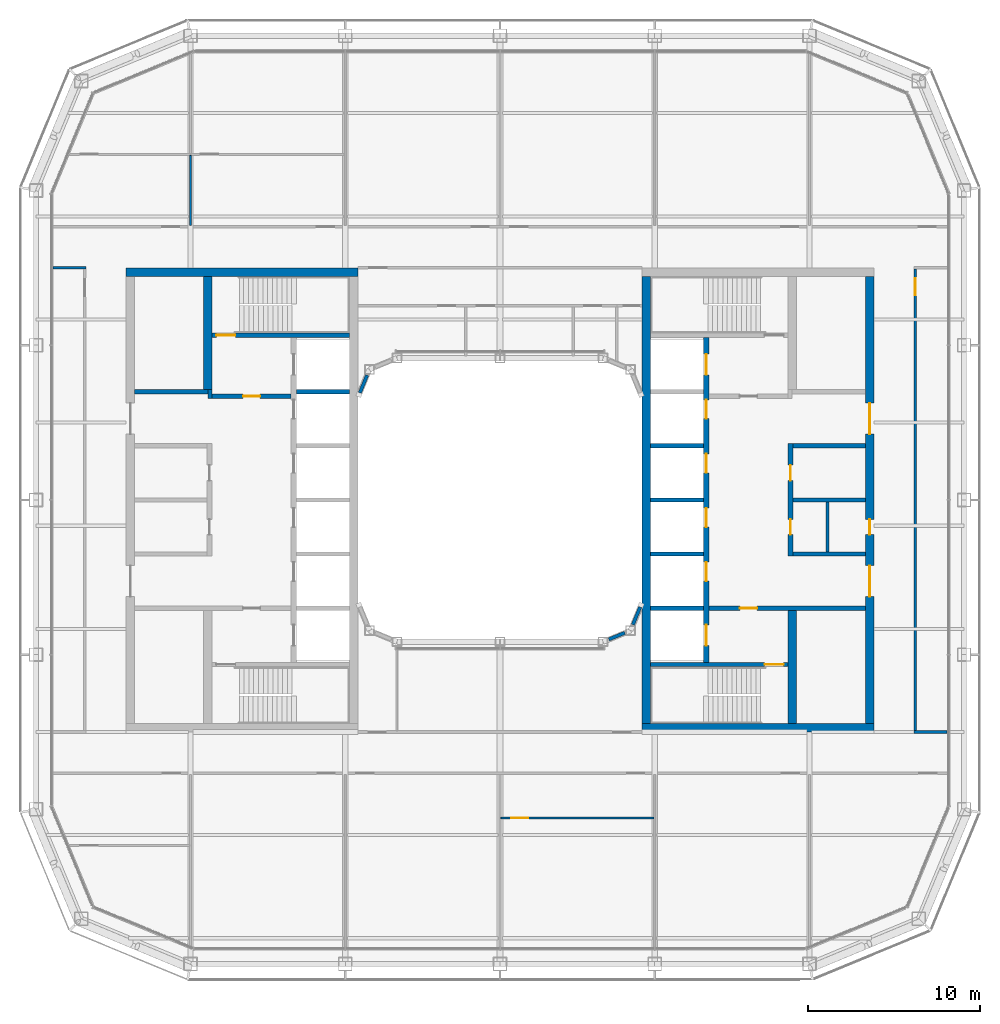
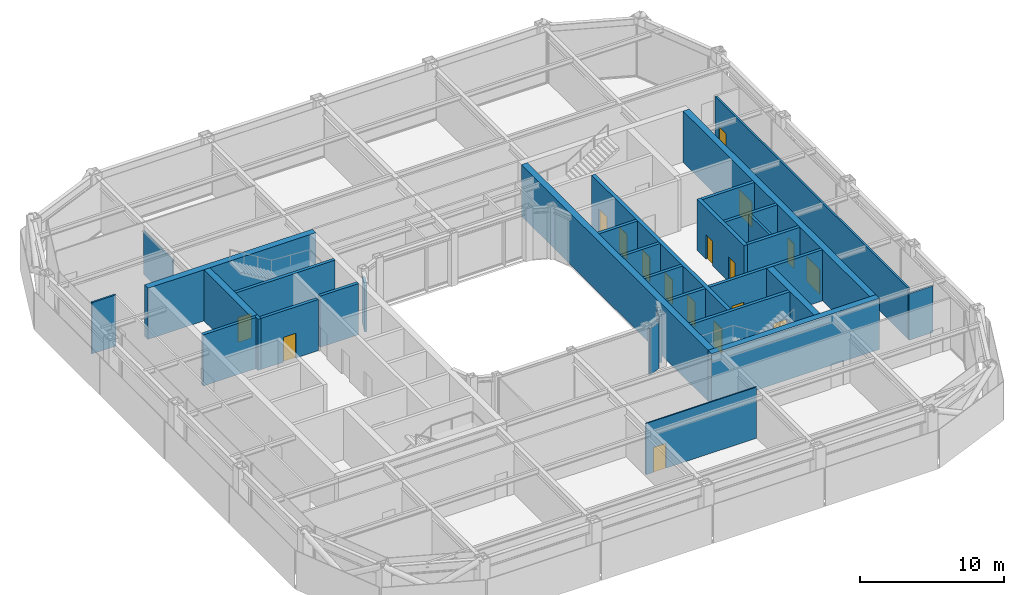
# One storey, part 13 of 19: 31 walls, 17 doors, 17 openings.
"""IFC4 building model written with IfcOpenShell, lengths in metres."""

from ifc_helpers import new_model, si_unit, direction, frame, frame_2d, origin, place, context, subcontext, project, spatial, rectangle, extrude, material, layer, layer_set, type_object, element, fill, save


model = new_model("IFC4")

# Units and contexts
model_context = context("Model", 3, precision=1e-05, world=origin(), true_north=direction((0.0, 1.0)))
body_context = subcontext(model_context, "Body", "Model", "MODEL_VIEW")
ifc_project = project(units=[si_unit("LENGTHUNIT", "METRE"), si_unit("AREAUNIT", "SQUARE_METRE"), si_unit("VOLUMEUNIT", "CUBIC_METRE"), si_unit("PLANEANGLEUNIT", "RADIAN"), si_unit("MASSUNIT", "GRAM", prefix="KILO")], contexts=[model_context])

# Site, building, storey
site_placement = place(None, origin())
site = spatial("IfcSite", under=ifc_project, at=site_placement, CompositionType="ELEMENT")
building_placement = place(site_placement, origin())
building = spatial("IfcBuilding", under=site, at=building_placement, Name="Siwar Civic Tower", CompositionType="ELEMENT")
storey_placement = place(building_placement, frame((0.0, 0.0, 246.699951171875)))
storey = spatial("IfcBuildingStorey", under=building, at=storey_placement, Name="L53", CompositionType="ELEMENT", Elevation=246.699951171875)

# Wall
ifc_material_1 = material(Name="Gypsum board on steel studs", Category="steel")
ifc_layer_1 = layer(ifc_material_1, 0.199951171875)
ifc_layer_set_1 = layer_set([ifc_layer_1], Name="Gypsum board on steel studs")
wall_type_1 = type_object("IfcWallType", Name="CORE-PARTITION-200", PredefinedType="PARTITIONING", material=ifc_layer_set_1)
wall_1_placement = place(storey_placement, frame((19.050048828125, -3.02490234375, 0.0), z_axis=(0.0, 0.0, 1.0), x_axis=(0.0, 1.0, 0.0)))
element("IfcWall", 1, at=wall_1_placement, inside=storey, type_object=wall_type_1, Name="Core partition E", PredefinedType="PARTITIONING", context=body_context, shape_type="SweptSolid", body=[
    extrude(rectangle(XDim=2.89990234375, YDim=0.199951171875, at=frame_2d((1.449951171875, 0.0))), origin(), (0.0, 0.0, 1.0), 4.35009765625),
])

# Wall, opening, door
ifc_material_2 = material(Name="Concrete C60/75", Category="concrete")
ifc_layer_2 = layer(ifc_material_2, 0.25)
ifc_layer_set_2 = layer_set([ifc_layer_2], Name="Concrete C60/75")
wall_type_2 = type_object("IfcWallType", Name="CORE-WALL-RC250", PredefinedType="SHEAR", material=ifc_layer_set_2)
wall_2_placement = place(storey_placement, frame((-12.14990234375, 6.02490234375, 0.0), z_axis=(0.0, 0.0, 1.0), x_axis=(-1.0, 0.0, 0.0)))
wall_2 = element("IfcWall", 2, at=wall_2_placement, inside=storey, type_object=wall_type_2, Name="Core wall W", PredefinedType="SHEAR", context=body_context, shape_type="SweptSolid", body=[
    extrude(rectangle(XDim=4.60009765625, YDim=0.25, at=frame_2d((2.300048828125, 0.0))), origin(), (0.0, 0.0, 1.0), 4.35009765625),
])
opening_1_placement = place(wall_2_placement, frame((1.800048828125, 0.0, 0.0)))
opening_1 = element("IfcOpeningElement", 3, at=opening_1_placement, cuts=wall_2, Name="Opening L53-CW01", PredefinedType="OPENING", context=body_context, shape_type="SweptSolid", body=[
    extrude(rectangle(XDim=1.0, YDim=2.10009765625, at=frame_2d((0.5, 1.050048828125))), frame((0.0, 0.135009765625, 0.0), z_axis=(0.0, -1.0, 0.0), x_axis=(1.0, 0.0, 0.0)), (0.0, 0.0, 1.0), 0.27001953125),
])
ifc_material_3 = material(Name="Steel door leaf", Category="steel")
door_type_1 = type_object("IfcDoorType", Name="CORE-DOOR-FD30S", OperationType="SINGLE_SWING_LEFT", PredefinedType="DOOR", material=ifc_material_3)
door_1_placement = place(opening_1_placement, origin())
door_1 = element("IfcDoor", 4, at=door_1_placement, inside=storey, type_object=door_type_1, Name="Firefighting lobby door L53-CW01", OperationType="SINGLE_SWING_LEFT", OverallHeight=2.10009765625, OverallWidth=1.0, PredefinedType="DOOR", context=body_context, shape_type="SweptSolid", body=[
    extrude(rectangle(XDim=1.0, YDim=2.10009765625, at=frame_2d((0.5, 1.050048828125))), frame((0.0, 0.02490234375, 0.0), z_axis=(0.0, -1.0, 0.0), x_axis=(1.0, 0.0, 0.0)), (0.0, 0.0, 1.0), 0.050048828125),
])
fill(opening_1, door_1)

# Walls
wall_3_placement = place(storey_placement, frame((-16.875, 5.89990234375, 0.0), z_axis=(0.0, 0.0, 1.0), x_axis=(0.0, 1.0, 0.0)))
element("IfcWall", 5, at=wall_3_placement, inside=storey, type_object=wall_type_2, Name="Core wall W", PredefinedType="SHEAR", context=body_context, shape_type="SweptSolid", body=[
    extrude(rectangle(XDim=0.525146484375, YDim=0.25, at=frame_2d((0.2626953125, 0.0))), origin(), (0.0, 0.0, 1.0), 4.35009765625),
])
wall_4_placement = place(storey_placement, frame((-17.0, 6.300048828125, 0.0), z_axis=(0.0, 0.0, 1.0), x_axis=(-1.0, 0.0, 0.0)))
element("IfcWall", 6, at=wall_4_placement, inside=storey, type_object=wall_type_2, Name="Core wall W", PredefinedType="SHEAR", context=body_context, shape_type="SweptSolid", body=[
    extrude(rectangle(XDim=4.25, YDim=0.25, at=frame_2d((2.125, 0.0))), origin(), (0.0, 0.0, 1.0), 4.35009765625),
])
wall_5_placement = place(storey_placement, frame((-8.75, 6.300048828125, 0.0), z_axis=(0.0, 0.0, 1.0), x_axis=(-1.0, 0.0, 0.0)))
element("IfcWall", 7, at=wall_5_placement, inside=storey, type_object=wall_type_2, Name="Core wall W", PredefinedType="SHEAR", context=body_context, shape_type="SweptSolid", body=[
    extrude(rectangle(XDim=3.10009765625, YDim=0.25, at=frame_2d((1.550048828125, 0.0))), origin(), (0.0, 0.0, 1.0), 4.35009765625),
])

# Wall, opening, door
wall_6_placement = place(storey_placement, frame((-8.75, 9.574951171875, 0.0), z_axis=(0.0, 0.0, 1.0), x_axis=(-1.0, 0.0, 0.0)))
wall_6 = element("IfcWall", 8, at=wall_6_placement, inside=storey, type_object=wall_type_2, Name="Core wall W", PredefinedType="SHEAR", context=body_context, shape_type="SweptSolid", body=[
    extrude(rectangle(XDim=8.0, YDim=0.25, at=frame_2d((4.0, 0.0))), origin(), (0.0, 0.0, 1.0), 4.35009765625),
])
opening_2_placement = place(wall_6_placement, frame((6.64990234375, 0.0, 0.0)))
opening_2 = element("IfcOpeningElement", 9, at=opening_2_placement, cuts=wall_6, Name="Opening L53-CW03", PredefinedType="OPENING", context=body_context, shape_type="SweptSolid", body=[
    extrude(rectangle(XDim=1.10009765625, YDim=2.10009765625, at=frame_2d((0.550048828125, 1.050048828125))), frame((0.0, 0.135009765625, 0.0), z_axis=(0.0, -1.0, 0.0), x_axis=(1.0, 0.0, 0.0)), (0.0, 0.0, 1.0), 0.27001953125),
])
ifc_material_4 = material(Name="Steel door leaf", Category="steel")
door_type_2 = type_object("IfcDoorType", Name="CORE-DOOR-FD60S", OperationType="SINGLE_SWING_LEFT", PredefinedType="DOOR", material=ifc_material_4)
door_2_placement = place(opening_2_placement, origin())
door_2 = element("IfcDoor", 10, at=door_2_placement, inside=storey, type_object=door_type_2, Name="Stair door L53-CW03", OperationType="SINGLE_SWING_RIGHT", OverallHeight=2.10009765625, OverallWidth=1.10009765625, PredefinedType="DOOR", context=body_context, shape_type="SweptSolid", body=[
    extrude(rectangle(XDim=1.10009765625, YDim=2.10009765625, at=frame_2d((0.550048828125, 1.050048828125))), frame((0.0, 0.02490234375, 0.0), z_axis=(0.0, -1.0, 0.0), x_axis=(1.0, 0.0, 0.0)), (0.0, 0.0, 1.0), 0.050048828125),
])
fill(opening_2, door_2)

wall_7_placement = place(storey_placement, frame((12.14990234375, -6.300048828125, 0.0), z_axis=(0.0, 0.0, 1.0), x_axis=(1.0, 0.0, 0.0)))
wall_7 = element("IfcWall", 11, at=wall_7_placement, inside=storey, type_object=wall_type_2, Name="Core wall E", PredefinedType="SHEAR", context=body_context, shape_type="SweptSolid", body=[
    extrude(rectangle(XDim=9.10009765625, YDim=0.25, at=frame_2d((4.550048828125, 0.0))), origin(), (0.0, 0.0, 1.0), 4.35009765625),
])
opening_3_placement = place(wall_7_placement, frame((1.800048828125, 0.0, 0.0)))
opening_3 = element("IfcOpeningElement", 12, at=opening_3_placement, cuts=wall_7, Name="Opening L53-CE02", PredefinedType="OPENING", context=body_context, shape_type="SweptSolid", body=[
    extrude(rectangle(XDim=1.0, YDim=2.10009765625, at=frame_2d((0.5, 1.050048828125))), frame((0.0, 0.135009765625, 0.0), z_axis=(0.0, -1.0, 0.0), x_axis=(1.0, 0.0, 0.0)), (0.0, 0.0, 1.0), 0.27001953125),
])
door_3_placement = place(opening_3_placement, origin())
door_3 = element("IfcDoor", 13, at=door_3_placement, inside=storey, type_object=door_type_1, Name="Service lobby door L53-CE02", OperationType="SINGLE_SWING_LEFT", OverallHeight=2.10009765625, OverallWidth=1.0, PredefinedType="DOOR", context=body_context, shape_type="SweptSolid", body=[
    extrude(rectangle(XDim=1.0, YDim=2.10009765625, at=frame_2d((0.5, 1.050048828125))), frame((0.0, 0.02490234375, 0.0), z_axis=(0.0, -1.0, 0.0), x_axis=(1.0, 0.0, 0.0)), (0.0, 0.0, 1.0), 0.050048828125),
])
fill(opening_3, door_3)

# Walls
for number, where, z_axis, x_axis, name in (
    (14, (17.050048828125, 0.0, 0.0), (0.0, 0.0, 1.0), (1.0, 0.0, 0.0), "Core wall E"),
    (15, (17.050048828125, 3.14990234375, 0.0), (0.0, 0.0, 1.0), (1.0, 0.0, 0.0), "Core wall E"),
    (16, (17.050048828125, -3.14990234375, 0.0), (0.0, 0.0, 1.0), (1.0, 0.0, 0.0), "Core wall E"),
):
    element("IfcWall", number, at=place(storey_placement, frame(where, z_axis=z_axis, x_axis=x_axis)), inside=storey, type_object=wall_type_2, Name=name, PredefinedType="SHEAR", context=body_context, shape_type="SweptSolid", body=[
        extrude(rectangle(XDim=4.199951171875, YDim=0.25, at=frame_2d((2.10009765625, 0.0))), origin(), (0.0, 0.0, 1.0), 4.35009765625),
    ])
for number, where, z_axis, x_axis, name in (
    (17, (8.75, 0.0, 0.0), (0.0, 0.0, 1.0), (1.0, 0.0, 0.0), "Core wall E"),
    (18, (8.75, 3.14990234375, 0.0), (0.0, 0.0, 1.0), (1.0, 0.0, 0.0), "Core wall E"),
    (19, (8.75, -3.14990234375, 0.0), (0.0, 0.0, 1.0), (1.0, 0.0, 0.0), "Core wall E"),
    (20, (8.75, -6.300048828125, 0.0), (0.0, 0.0, 1.0), (1.0, 0.0, 0.0), "Core wall E"),
):
    element("IfcWall", number, at=place(storey_placement, frame(where, z_axis=z_axis, x_axis=x_axis)), inside=storey, type_object=wall_type_2, Name=name, PredefinedType="SHEAR", context=body_context, shape_type="SweptSolid", body=[
        extrude(rectangle(XDim=3.10009765625, YDim=0.25, at=frame_2d((1.550048828125, 0.0))), origin(), (0.0, 0.0, 1.0), 4.35009765625),
    ])

# Wall, opening, door
wall_8_placement = place(storey_placement, frame((8.75, -9.574951171875, 0.0), z_axis=(0.0, 0.0, 1.0), x_axis=(1.0, 0.0, 0.0)))
wall_8 = element("IfcWall", 21, at=wall_8_placement, inside=storey, type_object=wall_type_2, Name="Core wall E", PredefinedType="SHEAR", context=body_context, shape_type="SweptSolid", body=[
    extrude(rectangle(XDim=8.0, YDim=0.25, at=frame_2d((4.0, 0.0))), origin(), (0.0, 0.0, 1.0), 4.35009765625),
])
opening_4_placement = place(wall_8_placement, frame((6.64990234375, 0.0, 0.0)))
opening_4 = element("IfcOpeningElement", 22, at=opening_4_placement, cuts=wall_8, Name="Opening L53-CE04", PredefinedType="OPENING", context=body_context, shape_type="SweptSolid", body=[
    extrude(rectangle(XDim=1.10009765625, YDim=2.10009765625, at=frame_2d((0.550048828125, 1.050048828125))), frame((0.0, 0.135009765625, 0.0), z_axis=(0.0, -1.0, 0.0), x_axis=(1.0, 0.0, 0.0)), (0.0, 0.0, 1.0), 0.27001953125),
])
door_4_placement = place(opening_4_placement, origin())
door_4 = element("IfcDoor", 23, at=door_4_placement, inside=storey, type_object=door_type_2, Name="Stair door L53-CE04", OperationType="SINGLE_SWING_RIGHT", OverallHeight=2.10009765625, OverallWidth=1.10009765625, PredefinedType="DOOR", context=body_context, shape_type="SweptSolid", body=[
    extrude(rectangle(XDim=1.10009765625, YDim=2.10009765625, at=frame_2d((0.550048828125, 1.050048828125))), frame((0.0, 0.02490234375, 0.0), z_axis=(0.0, -1.0, 0.0), x_axis=(1.0, 0.0, 0.0)), (0.0, 0.0, 1.0), 0.050048828125),
])
fill(opening_4, door_4)

# Wall, openings, doors
ifc_material_5 = material(Name="Concrete C60/75", Category="concrete")
ifc_layer_3 = layer(ifc_material_5, 0.300048828125)
ifc_layer_set_3 = layer_set([ifc_layer_3], Name="Concrete C60/75")
wall_type_3 = type_object("IfcWallType", Name="CORE-WALL-RC300", PredefinedType="SHEAR", material=ifc_layer_set_3)
wall_9_placement = place(storey_placement, frame((12.0, -9.449951171875, 0.0), z_axis=(0.0, 0.0, 1.0), x_axis=(0.0, 1.0, 0.0)))
wall_9 = element("IfcWall", 24, at=wall_9_placement, inside=storey, type_object=wall_type_3, Name="Core wall E", PredefinedType="SHEAR", context=body_context, shape_type="SweptSolid", body=[
    extrude(rectangle(XDim=18.89990234375, YDim=0.300048828125, at=frame_2d((9.449951171875, 0.0))), origin(), (0.0, 0.0, 1.0), 4.35009765625),
])
opening_5_placement = place(wall_9_placement, frame((4.72509765625, 0.0, 0.0)))
opening_5 = element("IfcOpeningElement", 25, at=opening_5_placement, cuts=wall_9, Name="Opening L53-CE07", PredefinedType="OPENING", context=body_context, shape_type="SweptSolid", body=[
    extrude(rectangle(XDim=1.10009765625, YDim=2.10009765625, at=frame_2d((0.550048828125, 1.050048828125))), frame((0.0, 0.16015625, 0.0), z_axis=(0.0, -1.0, 0.0), x_axis=(1.0, 0.0, 0.0)), (0.0, 0.0, 1.0), 0.320068359375),
])
opening_6_placement = place(wall_9_placement, frame((7.875, 0.0, 0.0)))
opening_6 = element("IfcOpeningElement", 26, at=opening_6_placement, cuts=wall_9, Name="Opening L53-CE08", PredefinedType="OPENING", context=body_context, shape_type="SweptSolid", body=[
    extrude(rectangle(XDim=1.10009765625, YDim=2.10009765625, at=frame_2d((0.550048828125, 1.050048828125))), frame((0.0, 0.16015625, 0.0), z_axis=(0.0, -1.0, 0.0), x_axis=(1.0, 0.0, 0.0)), (0.0, 0.0, 1.0), 0.320068359375),
])
opening_7_placement = place(wall_9_placement, frame((11.02490234375, 0.0, 0.0)))
opening_7 = element("IfcOpeningElement", 27, at=opening_7_placement, cuts=wall_9, Name="Opening L53-CE09", PredefinedType="OPENING", context=body_context, shape_type="SweptSolid", body=[
    extrude(rectangle(XDim=1.10009765625, YDim=2.10009765625, at=frame_2d((0.550048828125, 1.050048828125))), frame((0.0, 0.16015625, 0.0), z_axis=(0.0, -1.0, 0.0), x_axis=(1.0, 0.0, 0.0)), (0.0, 0.0, 1.0), 0.320068359375),
])
opening_8_placement = place(wall_9_placement, frame((14.175048828125, 0.0, 0.0)))
opening_8 = element("IfcOpeningElement", 28, at=opening_8_placement, cuts=wall_9, Name="Opening L53-CE10", PredefinedType="OPENING", context=body_context, shape_type="SweptSolid", body=[
    extrude(rectangle(XDim=1.10009765625, YDim=2.10009765625, at=frame_2d((0.550048828125, 1.050048828125))), frame((0.0, 0.16015625, 0.0), z_axis=(0.0, -1.0, 0.0), x_axis=(1.0, 0.0, 0.0)), (0.0, 0.0, 1.0), 0.320068359375),
])
opening_9_placement = place(wall_9_placement, frame((16.72509765625, 0.0, 0.0)))
opening_9 = element("IfcOpeningElement", 29, at=opening_9_placement, cuts=wall_9, Name="Opening L53-CE11", PredefinedType="OPENING", context=body_context, shape_type="SweptSolid", body=[
    extrude(rectangle(XDim=1.199951171875, YDim=2.10009765625, at=frame_2d((0.60009765625, 1.050048828125))), frame((0.0, 0.16015625, 0.0), z_axis=(0.0, -1.0, 0.0), x_axis=(1.0, 0.0, 0.0)), (0.0, 0.0, 1.0), 0.320068359375),
])
opening_10_placement = place(wall_9_placement, frame((0.97509765625, 0.0, 0.0)))
opening_10 = element("IfcOpeningElement", 30, at=opening_10_placement, cuts=wall_9, Name="Opening L53-CE12", PredefinedType="OPENING", context=body_context, shape_type="SweptSolid", body=[
    extrude(rectangle(XDim=1.199951171875, YDim=2.10009765625, at=frame_2d((0.60009765625, 1.050048828125))), frame((0.0, 0.16015625, 0.0), z_axis=(0.0, -1.0, 0.0), x_axis=(1.0, 0.0, 0.0)), (0.0, 0.0, 1.0), 0.320068359375),
])
ifc_material_6 = material(Name="Steel door leaf", Category="steel")
door_type_3 = type_object("IfcDoorType", Name="CORE-DOOR-LD", OperationType="DOUBLE_DOOR_SLIDING", PredefinedType="DOOR", material=ifc_material_6)
door_5_placement = place(opening_5_placement, origin())
door_5 = element("IfcDoor", 31, at=door_5_placement, inside=storey, type_object=door_type_3, Name="Landing door HR5 L53-CE07", OperationType="DOUBLE_DOOR_SLIDING", OverallHeight=2.10009765625, OverallWidth=1.10009765625, PredefinedType="DOOR", context=body_context, shape_type="SweptSolid", body=[
    extrude(rectangle(XDim=1.10009765625, YDim=2.10009765625, at=frame_2d((0.550048828125, 1.050048828125))), frame((0.0, 0.02490234375, 0.0), z_axis=(0.0, -1.0, 0.0), x_axis=(1.0, 0.0, 0.0)), (0.0, 0.0, 1.0), 0.050048828125),
])
fill(opening_5, door_5)
door_6_placement = place(opening_6_placement, origin())
door_6 = element("IfcDoor", 32, at=door_6_placement, inside=storey, type_object=door_type_3, Name="Landing door HR6 L53-CE08", OperationType="DOUBLE_DOOR_SLIDING", OverallHeight=2.10009765625, OverallWidth=1.10009765625, PredefinedType="DOOR", context=body_context, shape_type="SweptSolid", body=[
    extrude(rectangle(XDim=1.10009765625, YDim=2.10009765625, at=frame_2d((0.550048828125, 1.050048828125))), frame((0.0, 0.02490234375, 0.0), z_axis=(0.0, -1.0, 0.0), x_axis=(1.0, 0.0, 0.0)), (0.0, 0.0, 1.0), 0.050048828125),
])
fill(opening_6, door_6)
door_7_placement = place(opening_7_placement, origin())
door_7 = element("IfcDoor", 33, at=door_7_placement, inside=storey, type_object=door_type_3, Name="Landing door HR7 L53-CE09", OperationType="DOUBLE_DOOR_SLIDING", OverallHeight=2.10009765625, OverallWidth=1.10009765625, PredefinedType="DOOR", context=body_context, shape_type="SweptSolid", body=[
    extrude(rectangle(XDim=1.10009765625, YDim=2.10009765625, at=frame_2d((0.550048828125, 1.050048828125))), frame((0.0, 0.02490234375, 0.0), z_axis=(0.0, -1.0, 0.0), x_axis=(1.0, 0.0, 0.0)), (0.0, 0.0, 1.0), 0.050048828125),
])
fill(opening_7, door_7)
door_8_placement = place(opening_8_placement, origin())
door_8 = element("IfcDoor", 34, at=door_8_placement, inside=storey, type_object=door_type_3, Name="Landing door HR8 L53-CE10", OperationType="DOUBLE_DOOR_SLIDING", OverallHeight=2.10009765625, OverallWidth=1.10009765625, PredefinedType="DOOR", context=body_context, shape_type="SweptSolid", body=[
    extrude(rectangle(XDim=1.10009765625, YDim=2.10009765625, at=frame_2d((0.550048828125, 1.050048828125))), frame((0.0, 0.02490234375, 0.0), z_axis=(0.0, -1.0, 0.0), x_axis=(1.0, 0.0, 0.0)), (0.0, 0.0, 1.0), 0.050048828125),
])
fill(opening_8, door_8)
ifc_material_7 = material(Name="Steel door leaf", Category="steel")
door_type_4 = type_object("IfcDoorType", Name="CORE-DOOR-LDW", OperationType="DOUBLE_DOOR_SLIDING", PredefinedType="DOOR", material=ifc_material_7)
door_9_placement = place(opening_9_placement, origin())
door_9 = element("IfcDoor", 35, at=door_9_placement, inside=storey, type_object=door_type_4, Name="Landing door FF2 L53-CE11", OperationType="DOUBLE_DOOR_SLIDING", OverallHeight=2.10009765625, OverallWidth=1.199951171875, PredefinedType="DOOR", context=body_context, shape_type="SweptSolid", body=[
    extrude(rectangle(XDim=1.199951171875, YDim=2.10009765625, at=frame_2d((0.60009765625, 1.050048828125))), frame((0.0, 0.02490234375, 0.0), z_axis=(0.0, -1.0, 0.0), x_axis=(1.0, 0.0, 0.0)), (0.0, 0.0, 1.0), 0.050048828125),
])
fill(opening_9, door_9)
door_10_placement = place(opening_10_placement, origin())
door_10 = element("IfcDoor", 36, at=door_10_placement, inside=storey, type_object=door_type_4, Name="Landing door SV2 L53-CE12", OperationType="DOUBLE_DOOR_SLIDING", OverallHeight=2.10009765625, OverallWidth=1.199951171875, PredefinedType="DOOR", context=body_context, shape_type="SweptSolid", body=[
    extrude(rectangle(XDim=1.199951171875, YDim=2.10009765625, at=frame_2d((0.60009765625, 1.050048828125))), frame((0.0, 0.02490234375, 0.0), z_axis=(0.0, -1.0, 0.0), x_axis=(1.0, 0.0, 0.0)), (0.0, 0.0, 1.0), 0.050048828125),
])
fill(opening_10, door_10)

wall_10_placement = place(storey_placement, frame((16.89990234375, -3.27490234375, 0.0), z_axis=(0.0, 0.0, 1.0), x_axis=(0.0, 1.0, 0.0)))
wall_10 = element("IfcWall", 37, at=wall_10_placement, inside=storey, type_object=wall_type_3, Name="Core wall E", PredefinedType="SHEAR", context=body_context, shape_type="SweptSolid", body=[
    extrude(rectangle(XDim=6.5498046875, YDim=0.300048828125, at=frame_2d((3.27490234375, 0.0))), origin(), (0.0, 0.0, 1.0), 4.35009765625),
])
opening_11_placement = place(wall_10_placement, frame((1.25, 0.0, 0.0)))
opening_11 = element("IfcOpeningElement", 38, at=opening_11_placement, cuts=wall_10, Name="Opening L53-CE13", PredefinedType="OPENING", context=body_context, shape_type="SweptSolid", body=[
    extrude(rectangle(XDim=0.89990234375, YDim=2.10009765625, at=frame_2d((0.449951171875, 1.050048828125))), frame((0.0, 0.16015625, 0.0), z_axis=(0.0, -1.0, 0.0), x_axis=(1.0, 0.0, 0.0)), (0.0, 0.0, 1.0), 0.320068359375),
])
opening_12_placement = place(wall_10_placement, frame((4.39990234375, 0.0, 0.0)))
opening_12 = element("IfcOpeningElement", 39, at=opening_12_placement, cuts=wall_10, Name="Opening L53-CE15", PredefinedType="OPENING", context=body_context, shape_type="SweptSolid", body=[
    extrude(rectangle(XDim=0.89990234375, YDim=2.10009765625, at=frame_2d((0.449951171875, 1.050048828125))), frame((0.0, 0.16015625, 0.0), z_axis=(0.0, -1.0, 0.0), x_axis=(1.0, 0.0, 0.0)), (0.0, 0.0, 1.0), 0.320068359375),
])
ifc_material_8 = material(Name="Steel door leaf", Category="steel")
door_type_5 = type_object("IfcDoorType", Name="CORE-DOOR-ROOM", OperationType="SINGLE_SWING_LEFT", PredefinedType="DOOR", material=ifc_material_8)
door_11_placement = place(opening_11_placement, origin())
door_11 = element("IfcDoor", 40, at=door_11_placement, inside=storey, type_object=door_type_5, Name="Core room door L53-CE13", OperationType="SINGLE_SWING_RIGHT", OverallHeight=2.10009765625, OverallWidth=0.89990234375, PredefinedType="DOOR", context=body_context, shape_type="SweptSolid", body=[
    extrude(rectangle(XDim=0.89990234375, YDim=2.10009765625, at=frame_2d((0.449951171875, 1.050048828125))), frame((0.0, 0.02490234375, 0.0), z_axis=(0.0, -1.0, 0.0), x_axis=(1.0, 0.0, 0.0)), (0.0, 0.0, 1.0), 0.050048828125),
])
fill(opening_11, door_11)
door_12_placement = place(opening_12_placement, origin())
door_12 = element("IfcDoor", 41, at=door_12_placement, inside=storey, type_object=door_type_5, Name="Core room door L53-CE15", OperationType="SINGLE_SWING_LEFT", OverallHeight=2.10009765625, OverallWidth=0.89990234375, PredefinedType="DOOR", context=body_context, shape_type="SweptSolid", body=[
    extrude(rectangle(XDim=0.89990234375, YDim=2.10009765625, at=frame_2d((0.449951171875, 1.050048828125))), frame((0.0, 0.02490234375, 0.0), z_axis=(0.0, -1.0, 0.0), x_axis=(1.0, 0.0, 0.0)), (0.0, 0.0, 1.0), 0.050048828125),
])
fill(opening_12, door_12)

# Walls
ifc_material_9 = material(Name="Concrete C60/75", Category="concrete")
ifc_layer_4 = layer(ifc_material_9, 0.5)
ifc_layer_set_4 = layer_set([ifc_layer_4], Name="Concrete C60/75")
wall_type_4 = type_object("IfcWallType", Name="CORE-WALL-RC500", PredefinedType="SHEAR", material=ifc_layer_set_4)
wall_11_placement = place(storey_placement, frame((-17.0, 6.425048828125, 0.0), z_axis=(0.0, 0.0, 1.0), x_axis=(0.0, 1.0, 0.0)))
element("IfcWall", 42, at=wall_11_placement, inside=storey, type_object=wall_type_4, Name="Core wall W", PredefinedType="SHEAR", context=body_context, shape_type="SweptSolid", body=[
    extrude(rectangle(XDim=6.574951171875, YDim=0.5, at=frame_2d((3.28759765625, 0.0))), origin(), (0.0, 0.0, 1.0), 4.35009765625),
])
wall_12_placement = place(storey_placement, frame((-8.25, 13.25, 0.0), z_axis=(0.0, 0.0, 1.0), x_axis=(-1.0, 0.0, 0.0)))
element("IfcWall", 43, at=wall_12_placement, inside=storey, type_object=wall_type_4, Name="Core wall W", PredefinedType="SHEAR", context=body_context, shape_type="SweptSolid", body=[
    extrude(rectangle(XDim=13.5, YDim=0.5, at=frame_2d((6.75, 0.0))), origin(), (0.0, 0.0, 1.0), 4.35009765625),
])

# Wall, openings, doors
wall_13_placement = place(storey_placement, frame((21.5, -13.0, 0.0), z_axis=(0.0, 0.0, 1.0), x_axis=(0.0, 1.0, 0.0)))
wall_13 = element("IfcWall", 44, at=wall_13_placement, inside=storey, type_object=wall_type_4, Name="Core wall E", PredefinedType="SHEAR", context=body_context, shape_type="SweptSolid", body=[
    extrude(rectangle(XDim=26.0, YDim=0.5, at=frame_2d((13.0, 0.0))), origin(), (0.0, 0.0, 1.0), 4.35009765625),
])
opening_13_placement = place(wall_13_placement, frame((16.824951171875, 0.0, 0.0)))
opening_13 = element("IfcOpeningElement", 45, at=opening_13_placement, cuts=wall_13, Name="Opening L53-CE05", PredefinedType="OPENING", context=body_context, shape_type="SweptSolid", body=[
    extrude(rectangle(XDim=1.800048828125, YDim=2.10009765625, at=frame_2d((0.89990234375, 1.050048828125))), frame((0.0, 0.260009765625, 0.0), z_axis=(0.0, -1.0, 0.0), x_axis=(1.0, 0.0, 0.0)), (0.0, 0.0, 1.0), 0.52001953125),
])
opening_14_placement = place(wall_13_placement, frame((7.375, 0.0, 0.0)))
opening_14 = element("IfcOpeningElement", 46, at=opening_14_placement, cuts=wall_13, Name="Opening L53-CE06", PredefinedType="OPENING", context=body_context, shape_type="SweptSolid", body=[
    extrude(rectangle(XDim=1.800048828125, YDim=2.10009765625, at=frame_2d((0.89990234375, 1.050048828125))), frame((0.0, 0.260009765625, 0.0), z_axis=(0.0, -1.0, 0.0), x_axis=(1.0, 0.0, 0.0)), (0.0, 0.0, 1.0), 0.52001953125),
])
opening_15_placement = place(wall_13_placement, frame((10.97509765625, 0.0, 0.0)))
opening_15 = element("IfcOpeningElement", 47, at=opening_15_placement, cuts=wall_13, Name="Opening L53-CE14", PredefinedType="OPENING", context=body_context, shape_type="SweptSolid", body=[
    extrude(rectangle(XDim=0.89990234375, YDim=2.10009765625, at=frame_2d((0.449951171875, 1.050048828125))), frame((0.0, 0.260009765625, 0.0), z_axis=(0.0, -1.0, 0.0), x_axis=(1.0, 0.0, 0.0)), (0.0, 0.0, 1.0), 0.52001953125),
])
ifc_material_10 = material(Name="Steel door leaf", Category="steel")
door_type_6 = type_object("IfcDoorType", Name="CORE-DOOR-PORT", OperationType="DOUBLE_DOOR_DOUBLE_SWING", PredefinedType="DOOR", material=ifc_material_10)
door_13_placement = place(opening_13_placement, origin())
door_13 = element("IfcDoor", 48, at=door_13_placement, inside=storey, type_object=door_type_6, Name="Core entrance door L53-CE05", OperationType="DOUBLE_DOOR_DOUBLE_SWING", OverallHeight=2.10009765625, OverallWidth=1.800048828125, PredefinedType="DOOR", context=body_context, shape_type="SweptSolid", body=[
    extrude(rectangle(XDim=1.800048828125, YDim=2.10009765625, at=frame_2d((0.89990234375, 1.050048828125))), frame((0.0, 0.02490234375, 0.0), z_axis=(0.0, -1.0, 0.0), x_axis=(1.0, 0.0, 0.0)), (0.0, 0.0, 1.0), 0.050048828125),
])
fill(opening_13, door_13)
door_14_placement = place(opening_14_placement, origin())
door_14 = element("IfcDoor", 49, at=door_14_placement, inside=storey, type_object=door_type_6, Name="Core entrance door L53-CE06", OperationType="DOUBLE_DOOR_DOUBLE_SWING", OverallHeight=2.10009765625, OverallWidth=1.800048828125, PredefinedType="DOOR", context=body_context, shape_type="SweptSolid", body=[
    extrude(rectangle(XDim=1.800048828125, YDim=2.10009765625, at=frame_2d((0.89990234375, 1.050048828125))), frame((0.0, 0.02490234375, 0.0), z_axis=(0.0, -1.0, 0.0), x_axis=(1.0, 0.0, 0.0)), (0.0, 0.0, 1.0), 0.050048828125),
])
fill(opening_14, door_14)
door_15_placement = place(opening_15_placement, origin())
door_15 = element("IfcDoor", 50, at=door_15_placement, inside=storey, type_object=door_type_5, Name="Core room door L53-CE14", OperationType="SINGLE_SWING_LEFT", OverallHeight=2.10009765625, OverallWidth=0.89990234375, PredefinedType="DOOR", context=body_context, shape_type="SweptSolid", body=[
    extrude(rectangle(XDim=0.89990234375, YDim=2.10009765625, at=frame_2d((0.449951171875, 1.050048828125))), frame((0.0, 0.02490234375, 0.0), z_axis=(0.0, -1.0, 0.0), x_axis=(1.0, 0.0, 0.0)), (0.0, 0.0, 1.0), 0.050048828125),
])
fill(opening_15, door_15)

# Walls
wall_14_placement = place(storey_placement, frame((17.0, -13.0, 0.0), z_axis=(0.0, 0.0, 1.0), x_axis=(0.0, 1.0, 0.0)))
element("IfcWall", 51, at=wall_14_placement, inside=storey, type_object=wall_type_4, Name="Core wall E", PredefinedType="SHEAR", context=body_context, shape_type="SweptSolid", body=[
    extrude(rectangle(XDim=6.574951171875, YDim=0.5, at=frame_2d((3.28759765625, 0.0))), origin(), (0.0, 0.0, 1.0), 4.35009765625),
])
wall_15_placement = place(storey_placement, frame((8.25, -13.25, 0.0), z_axis=(0.0, 0.0, 1.0), x_axis=(1.0, 0.0, 0.0)))
element("IfcWall", 52, at=wall_15_placement, inside=storey, type_object=wall_type_4, Name="Core wall E", PredefinedType="SHEAR", context=body_context, shape_type="SweptSolid", body=[
    extrude(rectangle(XDim=13.5, YDim=0.5, at=frame_2d((6.75, 0.0))), origin(), (0.0, 0.0, 1.0), 4.35009765625),
])
ifc_material_11 = material(Name="Concrete C60/75", Category="concrete")
ifc_layer_5 = layer(ifc_material_11, 0.5)
ifc_layer_set_5 = layer_set([ifc_layer_5], Name="Concrete C60/75")
wall_type_5 = type_object("IfcWallType", Name="CORE-WALL-RC500-EXT", PredefinedType="SHEAR", material=ifc_layer_set_5)
wall_16_placement = place(storey_placement, frame((8.5, -13.0, 0.0), z_axis=(0.0, 0.0, 1.0), x_axis=(0.0, 1.0, 0.0)))
element("IfcWall", 53, at=wall_16_placement, inside=storey, type_object=wall_type_5, Name="Core wall E", PredefinedType="SHEAR", context=body_context, shape_type="SweptSolid", body=[
    extrude(rectangle(XDim=26.0, YDim=0.5, at=frame_2d((13.0, 0.0))), origin(), (0.0, 0.0, 1.0), 4.35009765625),
])
ifc_material_12 = material(Name="Gypsum board on steel studs", Category="steel")
ifc_layer_6 = layer(ifc_material_12, 0.14990234375)
ifc_layer_set_6 = layer_set([ifc_layer_6], Name="Gypsum board on steel studs")
wall_type_6 = type_object("IfcWallType", Name="CORRIDOR PARTITION 150 EI 30", PredefinedType="PARTITIONING", material=ifc_layer_set_6)
wall_17_placement = place(storey_placement, frame((24.074951171875, -13.5, 0.0), z_axis=(0.0, 0.0, 1.0), x_axis=(1.0, 0.0, 0.0)))
element("IfcWall", 54, at=wall_17_placement, inside=storey, type_object=wall_type_6, Name="L53/wall/P06", PredefinedType="PARTITIONING", context=body_context, shape_type="SweptSolid", body=[
    extrude(rectangle(XDim=1.93505859375, YDim=0.14990234375, at=frame_2d((0.967529296875, 0.0))), origin(), (0.0, 0.0, 1.0), 3.949951171875),
])
wall_18_placement = place(storey_placement, frame((-26.010009765625, 13.5, 0.0), z_axis=(0.0, 0.0, 1.0), x_axis=(1.0, 0.0, 0.0)))
element("IfcWall", 55, at=wall_18_placement, inside=storey, type_object=wall_type_6, Name="L53/wall/P09", PredefinedType="PARTITIONING", context=body_context, shape_type="SweptSolid", body=[
    extrude(rectangle(XDim=1.93505859375, YDim=0.14990234375, at=frame_2d((0.967529296875, 0.0))), origin(), (0.0, 0.0, 1.0), 4.35009765625),
])

# Wall, opening, door
wall_19_placement = place(storey_placement, frame((24.14990234375, -13.425048828125, 0.0), z_axis=(0.0, 0.0, 1.0), x_axis=(0.0, 1.0, 0.0)))
wall_19 = element("IfcWall", 56, at=wall_19_placement, inside=storey, type_object=wall_type_6, Name="L53/wall/P30", PredefinedType="PARTITIONING", context=body_context, shape_type="SweptSolid", body=[
    extrude(rectangle(XDim=26.85009765625, YDim=0.14990234375, at=frame_2d((13.425048828125, 0.0))), origin(), (0.0, 0.0, 1.0), 4.35009765625),
])
opening_16_placement = place(wall_19_placement, frame((25.324951171875, 0.0, 0.0)))
opening_16 = element("IfcOpeningElement", 57, at=opening_16_placement, cuts=wall_19, Name="Opening D1", PredefinedType="OPENING", context=body_context, shape_type="SweptSolid", body=[
    extrude(rectangle(XDim=1.0, YDim=2.10009765625, at=frame_2d((0.5, 1.050048828125))), frame((0.0, 0.0849609375, 0.0), z_axis=(0.0, -1.0, 0.0), x_axis=(1.0, 0.0, 0.0)), (0.0, 0.0, 1.0), 0.169921875),
])
ifc_material_13 = material(Name="Timber, painted", Category="wood")
door_type_7 = type_object("IfcDoorType", Name="DOOR 1000 X 2100 FD30", OperationType="SINGLE_SWING_LEFT", PredefinedType="DOOR", material=ifc_material_13)
door_16_placement = place(opening_16_placement, origin())
door_16 = element("IfcDoor", 58, at=door_16_placement, inside=storey, type_object=door_type_7, Name="L53-D18", OperationType="SINGLE_SWING_RIGHT", OverallHeight=2.10009765625, OverallWidth=1.0, PredefinedType="DOOR", context=body_context, shape_type="SweptSolid", body=[
    extrude(rectangle(XDim=1.0, YDim=2.10009765625, at=frame_2d((0.5, 1.050048828125))), frame((0.0, 0.02490234375, 0.0), z_axis=(0.0, -1.0, 0.0), x_axis=(1.0, 0.0, 0.0)), (0.0, 0.0, 1.0), 0.050048828125),
])
fill(opening_16, door_16)

# Walls
ifc_material_14 = material(Name="Aluminium clad insulated panel", Category="aluminium")
ifc_layer_7 = layer(ifc_material_14, 0.199951171875)
ifc_layer_set_7 = layer_set([ifc_layer_7], Name="Aluminium clad insulated panel")
wall_type_7 = type_object("IfcWallType", Name="ENV-WALL-WELL", PredefinedType="STANDARD", material=ifc_layer_set_7)
wall_20_placement = place(storey_placement, frame((6.33203125, -8.112548828125, 0.0), z_axis=(0.0, 0.0, 1.0), x_axis=(0.923859650767, 0.382731427616, 0.0)))
element("IfcWall", 59, at=wall_20_placement, inside=storey, type_object=wall_type_7, Name="Light well corner wall SE1", PredefinedType="STANDARD", context=body_context, shape_type="SweptSolid", body=[
    extrude(rectangle(XDim=1.00341796875, YDim=0.199951171875, at=frame_2d((0.501708984375, 0.0))), origin(), (0.0, 0.0, 1.0), 3.91796875),
])
for number, where, z_axis, x_axis, name in (
    (60, (7.728515625, -7.259033203125, 0.0), (0.0, 0.0, 1.0), (0.382635994082, 0.923899180665, 0.0), "Light well corner wall SE2"),
    (61, (-7.728515625, 7.259033203125, 0.0), (0.0, 0.0, 1.0), (-0.382635994082, -0.923899180665, 0.0), "Light well corner wall NW2"),
):
    element("IfcWall", number, at=place(storey_placement, frame(where, z_axis=z_axis, x_axis=x_axis)), inside=storey, type_object=wall_type_7, Name=name, PredefinedType="STANDARD", context=body_context, shape_type="SweptSolid", body=[
        extrude(rectangle(XDim=1.11279296875, YDim=0.199951171875, at=frame_2d((0.556396484375, 0.0))), origin(), (0.0, 0.0, 1.0), 3.91796875),
    ])

# Wall, opening, door
ifc_material_15 = material(Name="Gypsum board on steel studs", Category="steel")
ifc_layer_8 = layer(ifc_material_15, 0.10009765625)
ifc_layer_set_8 = layer_set([ifc_layer_8], Name="Gypsum board on steel studs")
wall_type_8 = type_object("IfcWallType", Name="PARTITION 100 GYPSUM", PredefinedType="PARTITIONING", material=ifc_layer_set_8)
wall_21_placement = place(storey_placement, frame((0.050048828125, -18.5, 0.0), z_axis=(0.0, 0.0, 1.0), x_axis=(1.0, 0.0, 0.0)))
wall_21 = element("IfcWall", 62, at=wall_21_placement, inside=storey, type_object=wall_type_8, Name="L53/wall/P02", PredefinedType="PARTITIONING", context=body_context, shape_type="SweptSolid", body=[
    extrude(rectangle(XDim=8.89990234375, YDim=0.10009765625, at=frame_2d((4.449951171875, 0.0))), origin(), (0.0, 0.0, 1.0), 4.35009765625),
])
opening_17_placement = place(wall_21_placement, frame((0.60009765625, 0.0, 0.0)))
opening_17 = element("IfcOpeningElement", 63, at=opening_17_placement, cuts=wall_21, Name="Opening D2", PredefinedType="OPENING", context=body_context, shape_type="SweptSolid", body=[
    extrude(rectangle(XDim=1.0, YDim=2.10009765625, at=frame_2d((0.5, 1.050048828125))), frame((0.0, 0.06005859375, 0.0), z_axis=(0.0, -1.0, 0.0), x_axis=(1.0, 0.0, 0.0)), (0.0, 0.0, 1.0), 0.1201171875),
])
ifc_material_16 = material(Name="Timber, painted", Category="wood")
door_type_8 = type_object("IfcDoorType", Name="DOOR 1000 X 2100", OperationType="SINGLE_SWING_LEFT", PredefinedType="DOOR", material=ifc_material_16)
door_17_placement = place(opening_17_placement, origin())
door_17 = element("IfcDoor", 64, at=door_17_placement, inside=storey, type_object=door_type_8, Name="L53-D09", OperationType="SINGLE_SWING_LEFT", OverallHeight=2.10009765625, OverallWidth=1.0, PredefinedType="DOOR", context=body_context, shape_type="SweptSolid", body=[
    extrude(rectangle(XDim=1.0, YDim=2.10009765625, at=frame_2d((0.5, 1.050048828125))), frame((0.0, 0.02490234375, 0.0), z_axis=(0.0, -1.0, 0.0), x_axis=(1.0, 0.0, 0.0)), (0.0, 0.0, 1.0), 0.050048828125),
])
fill(opening_17, door_17)

# Wall
wall_22_placement = place(storey_placement, frame((-18.0, 15.97509765625, 0.0), z_axis=(0.0, 0.0, 1.0), x_axis=(0.0, 1.0, 0.0)))
element("IfcWall", 65, at=wall_22_placement, inside=storey, type_object=wall_type_8, Name="L53/wall/P16", PredefinedType="PARTITIONING", context=body_context, shape_type="SweptSolid", body=[
    extrude(rectangle(XDim=4.074951171875, YDim=0.10009765625, at=frame_2d((2.03759765625, 0.0))), origin(), (0.0, 0.0, 1.0), 3.650146484375),
])

save(model, "model.ifc")
